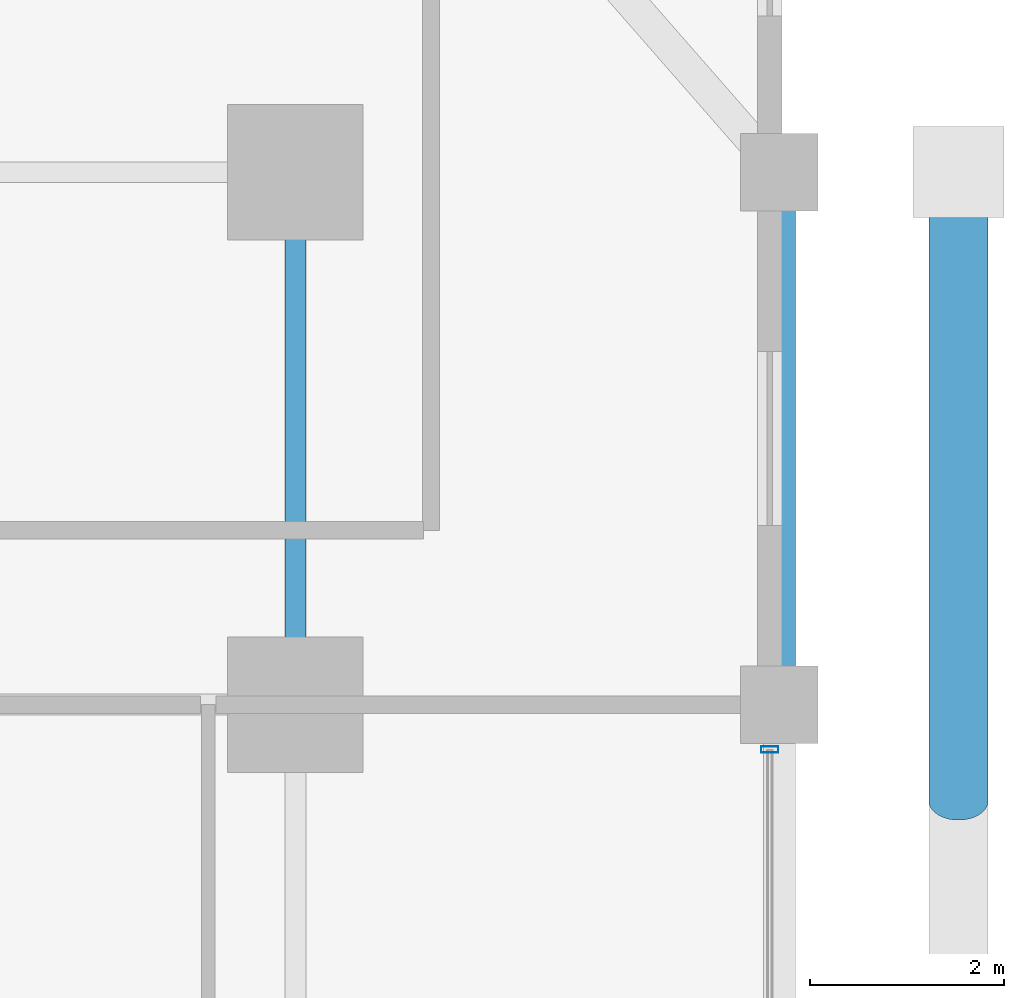
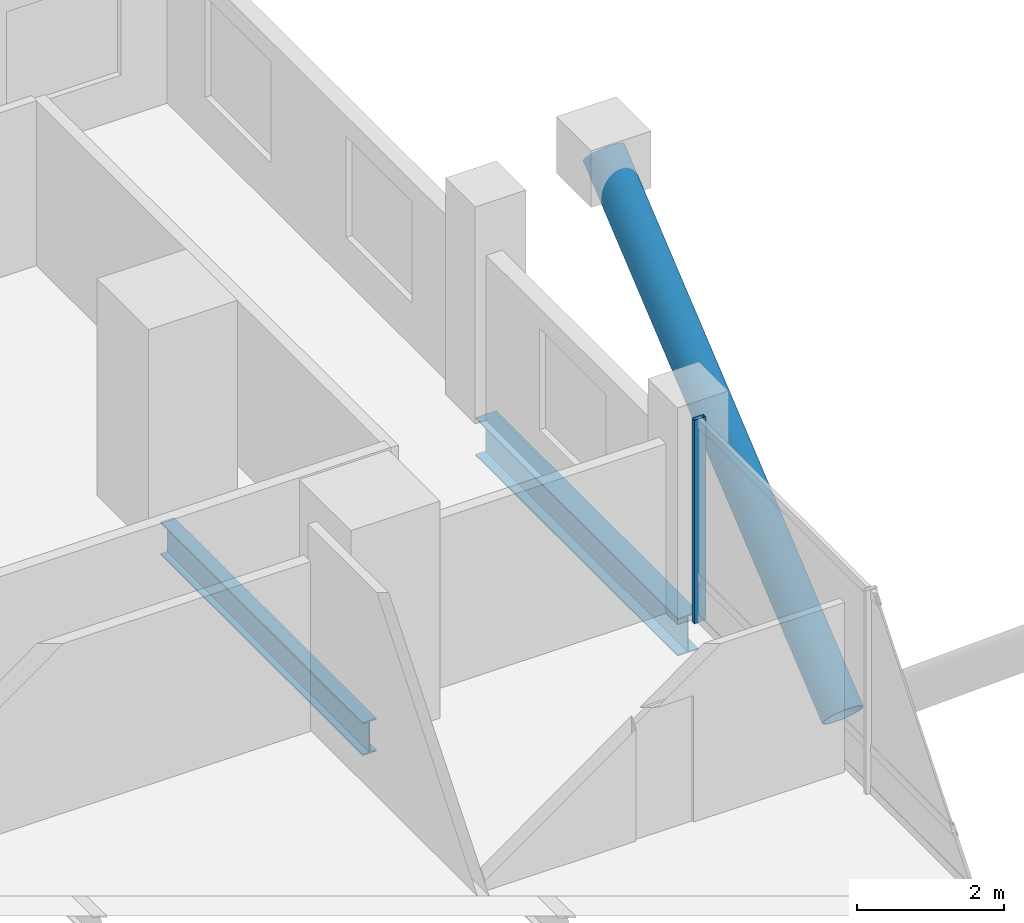
# One storey, part 15 of 23: 2 beams, 2 members, 1 element without a shape of its own.
"""IFC4 building model written with IfcOpenShell, lengths in metres."""

from ifc_helpers import new_model, si_unit, direction, frame, origin, origin_2d, place, context, subcontext, project, spatial, hollow_rectangle, hollow_circle, i_section, extrude, material, layer, layer_set, material_profile, profile_set, type_object, element, aggregate, save


model = new_model("IFC4")

# Units and contexts
model_context = context("Model", 3, precision=1e-05, world=origin(), true_north=direction((0.0, 1.0)))
body_context = subcontext(model_context, "Body", "Model", "MODEL_VIEW")
ifc_project = project(units=[si_unit("LENGTHUNIT", "METRE"), si_unit("AREAUNIT", "SQUARE_METRE"), si_unit("VOLUMEUNIT", "CUBIC_METRE"), si_unit("PLANEANGLEUNIT", "RADIAN"), si_unit("MASSUNIT", "GRAM", prefix="KILO")], contexts=[model_context])

# Site, building, storey
site_placement = place(None, origin())
site = spatial("IfcSite", under=ifc_project, at=site_placement, CompositionType="ELEMENT")
building_placement = place(site_placement, origin())
building = spatial("IfcBuilding", under=site, at=building_placement, Name="Barlavira Tower and Art Museum", CompositionType="ELEMENT")
storey_placement = place(building_placement, frame((0.0, 0.0, 57.60009765625)))
storey = spatial("IfcBuildingStorey", under=building, at=storey_placement, Name="L13", CompositionType="ELEMENT", Elevation=57.60009765625)

# Curtain wall, member
ifc_material_1 = material(Name="Low-iron coastal laminated glass", Category="glass")
ifc_layer = layer(ifc_material_1, 0.179931640625, Name="Low-iron coastal laminated glass")
ifc_layer_set = layer_set([ifc_layer], Name="Low-iron coastal laminated glass")
curtain_wall_type = type_object("IfcCurtainWallType", Name="Pale-Metal Unitised Curtain Wall Zone 1", PredefinedType="NOTDEFINED", material=ifc_layer_set)
curtain_wall_placement = place(storey_placement, origin())
curtain_wall = element("IfcCurtainWall", 1, at=curtain_wall_placement, inside=storey, type_object=curtain_wall_type, Name="L13 Curtain Wall CW1-L13-E-B3", PredefinedType="NOTDEFINED")
ifc_material_2 = material(Name="Pale anodised aluminium", Category="aluminium")
ifc_material_profile_1 = material_profile(ifc_material_2, hollow_rectangle(XDim=0.06494140625, YDim=0.179931640625, WallThickness=0.00390625, at=origin_2d()), Name="ALU-MULL 65x180x4")
ifc_profile_set_1 = profile_set([ifc_material_profile_1], Name="Pale anodised aluminium")
member_type_1 = type_object("IfcMemberType", Name="Curtain Wall Pale-Metal Mullion 65x180", PredefinedType="MULLION", material=ifc_profile_set_1)
member_1_placement = place(storey_placement, frame((21.89990234375, 7.034912109375, 0.0), z_axis=(0.0, 0.0, 1.0), x_axis=(0.0, 1.0, 0.0)))
member_1 = element("IfcMember", 2, at=member_1_placement, type_object=member_type_1, Name="CW1-L13-E-B3 Mullion 3", PredefinedType="MULLION", context=body_context, shape_type="SweptSolid", body=[
    extrude(hollow_rectangle(XDim=0.06494140625, YDim=0.179931640625, WallThickness=0.00390625, at=origin_2d()), origin(), (0.0, 0.0, 1.0), 3.3798828125),
])
aggregate(curtain_wall, [member_1])

# Member
ifc_material_3 = material(Name="Steel S355", Category="steel")
ifc_material_profile_2 = material_profile(ifc_material_3, hollow_circle(Radius=0.304931640625, WallThickness=0.028076171875, at=origin_2d()), Name="CHS 610.0x28.0")
ifc_profile_set_2 = profile_set([ifc_material_profile_2], Name="Steel S355")
member_type_2 = type_object("IfcMemberType", Name="Pale-Metal Exoskeleton Diagrid Tube CHS 610x28 Steel S355", PredefinedType="BRACE", material=ifc_profile_set_2)
member_2_placement = place(storey_placement, frame((23.85009765625, 6.5, -1.920166015625), z_axis=(0.0, 0.76918185268, 0.639029950399), x_axis=(-1.0, 0.0, 0.0)))
element("IfcMember", 3, at=member_2_placement, inside=storey, type_object=member_type_2, Name="L13 Exoskeleton Diagrid Tube E", PredefinedType="BRACE", context=body_context, shape_type="SweptSolid", body=[
    extrude(hollow_circle(Radius=0.304931640625, WallThickness=0.028076171875, at=origin_2d()), origin(), (0.0, 0.0, 1.0), 8.450439453125),
])

# Beams
ifc_material_profile_3 = material_profile(ifc_material_3, i_section(OverallWidth=0.327880859375, OverallDepth=0.62890625, WebThickness=0.013916015625, FlangeThickness=0.021484375, at=origin_2d()), Name="W610x174.0")
ifc_profile_set_3 = profile_set([ifc_material_profile_3], Name="Steel S355")
beam_type_1 = type_object("IfcBeamType", Name="Perimeter Spandrel Edge Beam W610x174 Steel S355", PredefinedType="SPANDREL", material=ifc_profile_set_3)
beam_1_placement = place(storey_placement, frame((22.0, 7.5, -0.53466796875), z_axis=(0.0, 1.0, 0.0), x_axis=(-1.0, 0.0, 0.0)))
element("IfcBeam", 4, at=beam_1_placement, inside=storey, type_object=beam_type_1, Name="L13 Spandrel 7", PredefinedType="SPANDREL", context=body_context, shape_type="SweptSolid", body=[
    extrude(i_section(OverallWidth=0.327880859375, OverallDepth=0.62890625, WebThickness=0.013916015625, FlangeThickness=0.021484375, at=origin_2d()), origin(), (0.0, 0.0, 1.0), 5.5),
])
ifc_material_profile_4 = material_profile(ifc_material_3, i_section(OverallWidth=0.214111328125, OverallDepth=0.549072265625, WebThickness=0.0146484375, FlangeThickness=0.023681640625, at=origin_2d()), Name="W530x138.0")
ifc_profile_set_4 = profile_set([ifc_material_profile_4], Name="Steel S355")
beam_type_2 = type_object("IfcBeamType", Name="Zone 1 Primary Floor Girder W530x138 Steel S355", PredefinedType="BEAM", material=ifc_profile_set_4)
beam_2_placement = place(storey_placement, frame((17.0, 7.5, -0.49462890625), z_axis=(0.0, 1.0, 0.0), x_axis=(-1.0, 0.0, 0.0)))
element("IfcBeam", 5, at=beam_2_placement, inside=storey, type_object=beam_type_2, Name="L13 Girder M-E3", PredefinedType="BEAM", context=body_context, shape_type="SweptSolid", body=[
    extrude(i_section(OverallWidth=0.214111328125, OverallDepth=0.549072265625, WebThickness=0.0146484375, FlangeThickness=0.023681640625, at=origin_2d()), origin(), (0.0, 0.0, 1.0), 5.5),
])

save(model, "model.ifc")
